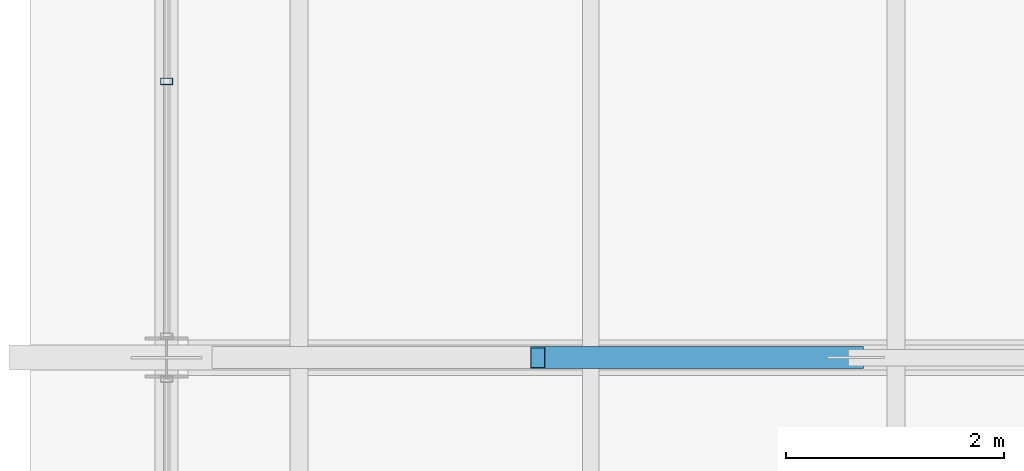
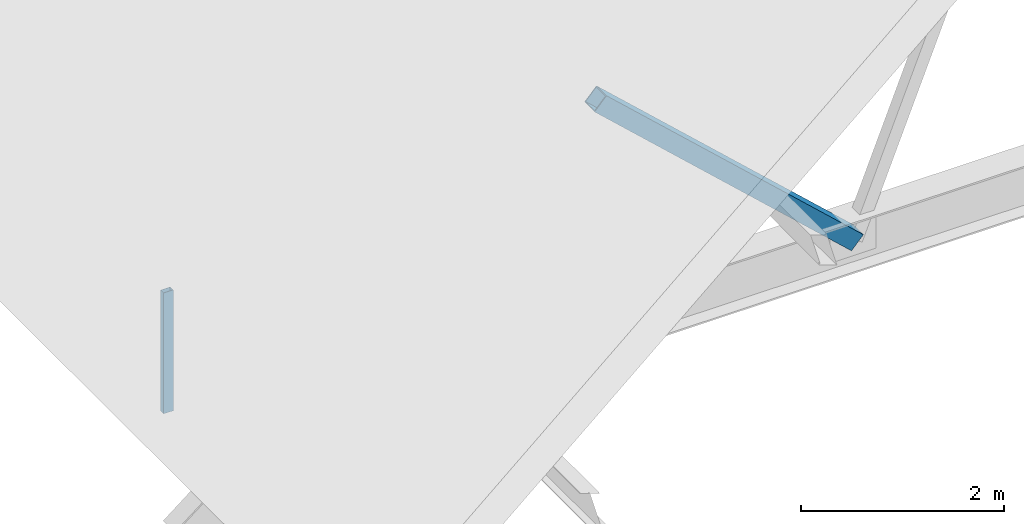
# One storey, part 24 of 44: 2 members, 1 element without a shape of its own.
"""IFC4 building model written with IfcOpenShell, lengths in metres."""

from ifc_helpers import new_model, si_unit, direction, frame, origin, origin_2d, place, context, subcontext, project, spatial, hollow_rectangle, extrude, material, material_profile, profile_set, type_object, element, aggregate, save


model = new_model("IFC4")

# Units and contexts
model_context = context("Model", 3, precision=1e-05, world=origin(), true_north=direction((0.0, 1.0)))
body_context = subcontext(model_context, "Body", "Model", "MODEL_VIEW")
ifc_project = project(units=[si_unit("LENGTHUNIT", "METRE"), si_unit("AREAUNIT", "SQUARE_METRE"), si_unit("VOLUMEUNIT", "CUBIC_METRE"), si_unit("PLANEANGLEUNIT", "RADIAN"), si_unit("MASSUNIT", "GRAM", prefix="KILO")], contexts=[model_context])

# Site, building, storey
site_placement = place(None, origin())
site = spatial("IfcSite", under=ifc_project, at=site_placement, CompositionType="ELEMENT")
building_placement = place(site_placement, origin())
building = spatial("IfcBuilding", under=site, at=building_placement, Name="Cimatlan Art Gallery", CompositionType="ELEMENT")
storey_placement = place(building_placement, frame((0.0, 0.0, 26.39990234375)))
storey = spatial("IfcBuildingStorey", under=building, at=storey_placement, Name="Roof", CompositionType="ELEMENT", Elevation=26.39990234375)

# Curtain wall, member
ifc_material_1 = material(Name="Anodised bronze unitised curtain wall")
curtain_wall_type = type_object("IfcCurtainWallType", Name="CW-V-07010X01450-B3", PredefinedType="NOTDEFINED", material=ifc_material_1)
curtain_wall_placement = place(storey_placement, origin())
curtain_wall = element("IfcCurtainWall", 1, at=curtain_wall_placement, inside=storey, type_object=curtain_wall_type, Name="CW-CRW-W-08", PredefinedType="NOTDEFINED")
ifc_material_2 = material(Name="Anodised bronze aluminium 6063-T6", Category="aluminium")
ifc_material_profile_1 = material_profile(ifc_material_2, hollow_rectangle(XDim=0.06005859375, YDim=0.110107421875, WallThickness=0.00341796875, at=origin_2d()), Name="ALU60X110X3")
ifc_profile_set_1 = profile_set([ifc_material_profile_1], Name="Anodised bronze aluminium 6063-T6")
member_type_1 = type_object("IfcMemberType", Name="CW-MUL-110", PredefinedType="MULLION", material=ifc_profile_set_1)
member_1_placement = place(storey_placement, frame((74.89990234375, 63.431640625, 0.0), z_axis=(0.0, 0.0, 1.0), x_axis=(0.0, 1.0, 0.0)))
member_1 = element("IfcMember", 2, at=member_1_placement, type_object=member_type_1, Name="CW-CRW-W-08-M2", PredefinedType="MULLION", context=body_context, shape_type="SweptSolid", body=[
    extrude(hollow_rectangle(XDim=0.06005859375, YDim=0.110107421875, WallThickness=0.00341796875, at=origin_2d()), origin(), (0.0, 0.0, 1.0), 1.4501953125),
])
aggregate(curtain_wall, [member_1])

# Member
ifc_material_3 = material(Name="Steel ASTM A500 Grade C", Category="steel")
ifc_material_profile_2 = material_profile(ifc_material_3, hollow_rectangle(XDim=0.199951171875, YDim=0.199951171875, WallThickness=0.010009765625, at=origin_2d()), Name="HSS200X200X10")
ifc_profile_set_2 = profile_set([ifc_material_profile_2], Name="Steel ASTM A500 Grade C")
member_type_2 = type_object("IfcMemberType", Name="MBR-TRS-DIAG-1", PredefinedType="BRACE", material=ifc_profile_set_2)
member_2_placement = place(storey_placement, frame((78.302001953125, 60.89990234375, 4.088134765625), z_axis=(0.735270574228, 0.0, -0.677773695768), x_axis=(0.0, 1.0, 0.0)))
element("IfcMember", 3, at=member_2_placement, inside=storey, type_object=member_type_2, Name="TRS-06-DW-2", PredefinedType="BRACE", context=body_context, shape_type="SweptSolid", body=[
    extrude(hollow_rectangle(XDim=0.199951171875, YDim=0.199951171875, WallThickness=0.010009765625, at=origin_2d()), origin(), (0.0, 0.0, 1.0), 3.9658203125),
])

save(model, "model.ifc")
